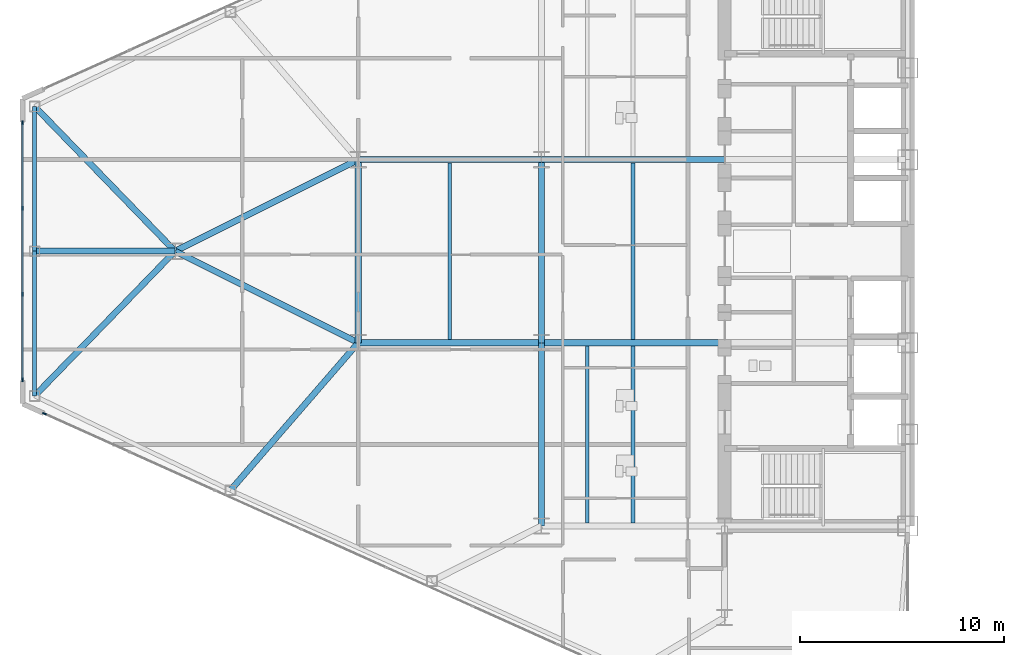
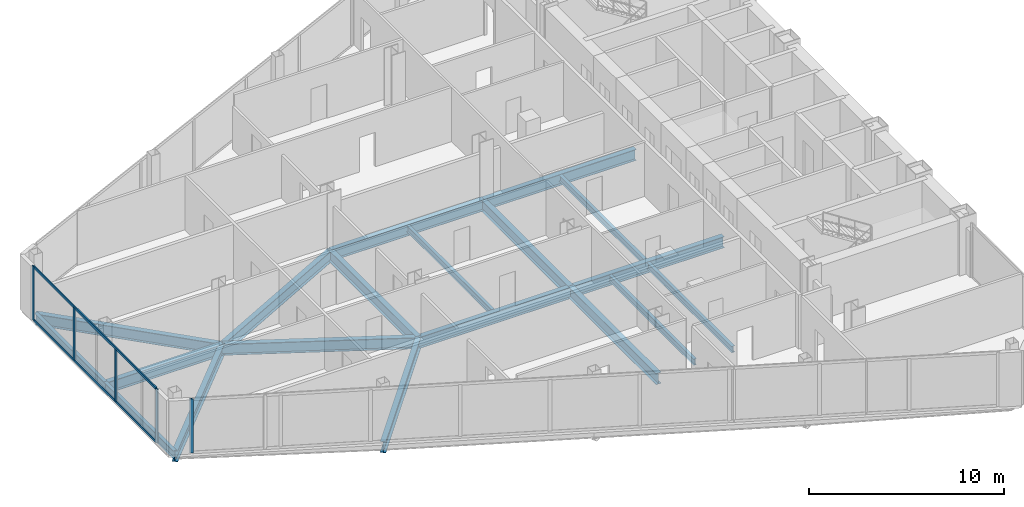
# One storey, part 5 of 27: 19 beams, 7 members, 2 elements without a shape of their own.
"""IFC4 building model written with IfcOpenShell, lengths in metres."""

from ifc_helpers import new_model, si_unit, direction, frame, origin, origin_2d, place, context, subcontext, project, spatial, rectangle, i_section, extrude, source, transform, mapped, material, layer, layer_set, material_profile, profile_set, type_object, type_shapes, element, aggregate, save


model = new_model("IFC4")

# Units and contexts
model_context = context("Model", 3, precision=1e-05, world=origin(), true_north=direction((0.0, 1.0)))
body_context = subcontext(model_context, "Body", "Model", "MODEL_VIEW")
ifc_project = project(units=[si_unit("LENGTHUNIT", "METRE"), si_unit("AREAUNIT", "SQUARE_METRE"), si_unit("VOLUMEUNIT", "CUBIC_METRE"), si_unit("PLANEANGLEUNIT", "RADIAN"), si_unit("MASSUNIT", "GRAM", prefix="KILO")], contexts=[model_context])

# Site, building, storey
site_placement = place(None, origin())
site = spatial("IfcSite", under=ifc_project, at=site_placement, CompositionType="ELEMENT")
building_placement = place(site_placement, origin())
building = spatial("IfcBuilding", under=site, at=building_placement, Name="Seokmaru Belvedere", CompositionType="ELEMENT")
storey_placement = place(building_placement, frame((0.0, 0.0, 76.5)))
storey = spatial("IfcBuildingStorey", under=building, at=storey_placement, Name="L20", CompositionType="ELEMENT", Elevation=76.5)

# Beams
ifc_material_1 = material(Name="Steel SM355 (355 MPa)", Category="steel")
ifc_material_profile_1 = material_profile(ifc_material_1, i_section(OverallWidth=0.300048828125, OverallDepth=0.699951171875, WebThickness=0.012939453125, FlangeThickness=0.02392578125, at=origin_2d()), Name="H-700x300x13x24")
ifc_profile_set_1 = profile_set([ifc_material_profile_1], Name="Steel SM355 (355 MPa)")
beam_type_1 = type_object("IfcBeamType", Name="Primary Floor Girder H-700", PredefinedType="BEAM", material=ifc_profile_set_1)
shared_shape_1 = source(origin(), body_context, "Body", "SweptSolid", [
    extrude(i_section(OverallWidth=0.300048828125, OverallDepth=0.699951171875, WebThickness=0.012939453125, FlangeThickness=0.02392578125, at=origin_2d()), origin(), (0.0, 0.0, 1.0), 9.0),
])
for number, where, z_axis, x_axis, name in (
    (1, (-45.5, -13.5, -0.570068359375), (0.0, 1.0, 0.0), (-1.0, 0.0, 0.0), "L20 W Interior Grid Girder 1"),
    (2, (-45.5, -4.5, -0.570068359375), (0.0, 1.0, 0.0), (-1.0, 0.0, 0.0), "L20 W Interior Grid Girder 2"),
    (3, (-45.5, -4.5, -0.570068359375), (1.0, 0.0, 0.0), (0.0, 1.0, 0.0), "L20 W Wing Primary Girder 2"),
    (4, (-45.5, 4.5, -0.570068359375), (1.0, 0.0, 0.0), (0.0, 1.0, 0.0), "L20 W Wing Primary Girder 3"),
    (5, (-54.5, -4.5, -0.570068359375), (1.0, 0.0, 0.0), (0.0, 1.0, 0.0), "L20 W Outer Wing Girder 1"),
    (6, (-54.5, 4.5, -0.570068359375), (1.0, 0.0, 0.0), (0.0, 1.0, 0.0), "L20 W Outer Wing Girder 2"),
    (7, (-54.5, -4.5, -0.570068359375), (0.0, 1.0, 0.0), (-1.0, 0.0, 0.0), "L20 W Apex Frame Girder"),
):
    element("IfcBeam", number, at=place(storey_placement, frame(where, z_axis=z_axis, x_axis=x_axis)), inside=storey, type_object=beam_type_1, Name=name, PredefinedType="BEAM", context=body_context, shape_type="MappedRepresentation", body=[
        mapped(shared_shape_1, transform((0.0, 0.0, 0.0), scale=1.0)),
    ])
shared_shape_2 = source(origin(), body_context, "Body", "SweptSolid", [
    extrude(i_section(OverallWidth=0.300048828125, OverallDepth=0.699951171875, WebThickness=0.012939453125, FlangeThickness=0.02392578125, at=origin_2d()), origin(), (0.0, 0.0, 1.0), 10.062255859375),
])
for number, where, z_axis, x_axis, name in (
    (8, (-54.5, -4.5, -0.570068359375), (-0.894427191, 0.4472135955, 0.0), (-0.4472135955, -0.894427191, 0.0), "L20 W Apex Converging Girder 1"),
    (9, (-54.5, 4.5, -0.570068359375), (-0.894427191, -0.4472135955, 0.0), (0.4472135955, -0.894427191, 0.0), "L20 W Apex Converging Girder 2"),
):
    element("IfcBeam", number, at=place(storey_placement, frame(where, z_axis=z_axis, x_axis=x_axis)), inside=storey, type_object=beam_type_1, Name=name, PredefinedType="BEAM", context=body_context, shape_type="MappedRepresentation", body=[
        mapped(shared_shape_2, transform((0.0, 0.0, 0.0), scale=1.0)),
    ])
ifc_material_profile_2 = material_profile(ifc_material_1, i_section(OverallWidth=0.18505859375, OverallDepth=0.389892578125, WebThickness=0.008056640625, FlangeThickness=0.011962890625, at=origin_2d()), Name="H-390x185x8x12")
ifc_profile_set_2 = profile_set([ifc_material_profile_2], Name="Steel SM355 (355 MPa)")
beam_type_2 = type_object("IfcBeamType", Name="Secondary Floor Joist H-350", PredefinedType="JOIST", material=ifc_profile_set_2)
shared_shape_3 = source(origin(), body_context, "Body", "SweptSolid", [
    extrude(i_section(OverallWidth=0.18505859375, OverallDepth=0.389892578125, WebThickness=0.008056640625, FlangeThickness=0.011962890625, at=origin_2d()), origin(), (0.0, 0.0, 1.0), 8.68994140625),
])
type_shapes(beam_type_2, [shared_shape_3])
for number, where, z_axis, x_axis, name in (
    (10, (-43.25, -13.344970703125, -0.4150390625), (0.0, 1.0, 0.0), (-1.0, 0.0, 0.0), "L20 W Wing Inner Secondary Joist 1"),
    (11, (-41.0, -13.344970703125, -0.4150390625), (0.0, 1.0, 0.0), (-1.0, 0.0, 0.0), "L20 W Secondary Floor Joist 1"),
    (12, (-41.0, -4.344970703125, -0.4150390625), (0.0, 1.0, 0.0), (-1.0, 0.0, 0.0), "L20 W Secondary Floor Joist 2"),
    (13, (-50.0, -4.344970703125, -0.4150390625), (0.0, 1.0, 0.0), (-1.0, 0.0, 0.0), "L20 W Outer Bay Secondary Joist"),
):
    element("IfcBeam", number, at=place(storey_placement, frame(where, z_axis=z_axis, x_axis=x_axis)), inside=storey, type_object=beam_type_2, Name=name, PredefinedType="JOIST", context=body_context, shape_type="MappedRepresentation", body=[
        mapped(shared_shape_3, transform((0.0, 0.0, 0.0), scale=1.0)),
    ])
ifc_material_profile_3 = material_profile(ifc_material_1, i_section(OverallWidth=0.199951171875, OverallDepth=0.5, WebThickness=0.010009765625, FlangeThickness=0.01611328125, at=origin_2d()), Name="H-500x200x10x16")
ifc_profile_set_3 = profile_set([ifc_material_profile_3], Name="Steel SM355 (355 MPa)")
beam_type_3 = type_object("IfcBeamType", Name="Perimeter Spandrel Beam H-500", PredefinedType="SPANDREL", material=ifc_profile_set_3)
shared_shape_4 = source(origin(), body_context, "Body", "SweptSolid", [
    extrude(i_section(OverallWidth=0.199951171875, OverallDepth=0.5, WebThickness=0.010009765625, FlangeThickness=0.01611328125, at=origin_2d()), origin(), (0.0, 0.0, 1.0), 7.112060546875),
])
type_shapes(beam_type_3, [shared_shape_4])
for number, where, z_axis, x_axis, name in (
    (14, (-70.39990234375, -7.112060546875, -0.469970703125), (0.0, 1.0, 0.0), (-1.0, 0.0, 0.0), "L20 W Faceted Apex Spandrel S"),
    (15, (-70.39990234375, 0.0, -0.469970703125), (0.0, 1.0, 0.0), (-1.0, 0.0, 0.0), "L20 W Faceted Apex Spandrel N"),
):
    element("IfcBeam", number, at=place(storey_placement, frame(where, z_axis=z_axis, x_axis=x_axis)), inside=storey, type_object=beam_type_3, Name=name, PredefinedType="SPANDREL", context=body_context, shape_type="MappedRepresentation", body=[
        mapped(shared_shape_4, transform((0.0, 0.0, 0.0), scale=1.0)),
    ])
shared_shape_5 = source(origin(), body_context, "Body", "SweptSolid", [
    extrude(i_section(OverallWidth=0.300048828125, OverallDepth=0.699951171875, WebThickness=0.012939453125, FlangeThickness=0.02392578125, at=origin_2d()), origin(), (0.0, 0.0, 1.0), 9.589599609375),
])
beam_1_placement = place(storey_placement, frame((-60.777587890625, -11.749267578125, -0.570068359375), z_axis=(0.654626140929, 0.755952786629, 0.0), x_axis=(-0.755952786629, 0.654626140929, 0.0)))
element("IfcBeam", 16, at=beam_1_placement, inside=storey, type_object=beam_type_1, Name="L20 W Flank Radial Floor Girder S-3", PredefinedType="BEAM", context=body_context, shape_type="MappedRepresentation", body=[
    mapped(shared_shape_5, transform((0.0, 0.0, 0.0), scale=1.0)),
])
shared_shape_6 = source(origin(), body_context, "Body", "SweptSolid", [
    extrude(i_section(OverallWidth=0.300048828125, OverallDepth=0.699951171875, WebThickness=0.012939453125, FlangeThickness=0.02392578125, at=origin_2d()), origin(), (0.0, 0.0, 1.0), 9.9091796875),
])
for number, where, z_axis, x_axis, name in (
    (17, (-70.39990234375, -7.112060546875, -0.570068359375), (0.6963205089, 0.717730972499, 0.0), (-0.717730972499, 0.6963205089, 0.0), "L20 W Apex Radial Floor Girder 1"),
    (18, (-70.39990234375, 7.112060546875, -0.570068359375), (0.6963205089, -0.717730972499, 0.0), (0.717730972499, 0.6963205089, 0.0), "L20 W Apex Radial Floor Girder 2"),
):
    element("IfcBeam", number, at=place(storey_placement, frame(where, z_axis=z_axis, x_axis=x_axis)), inside=storey, type_object=beam_type_1, Name=name, PredefinedType="BEAM", context=body_context, shape_type="MappedRepresentation", body=[
        mapped(shared_shape_6, transform((0.0, 0.0, 0.0), scale=1.0)),
    ])
shared_shape_7 = source(origin(), body_context, "Body", "SweptSolid", [
    extrude(i_section(OverallWidth=0.300048828125, OverallDepth=0.699951171875, WebThickness=0.012939453125, FlangeThickness=0.02392578125, at=origin_2d()), origin(), (0.0, 0.0, 1.0), 6.89990234375),
])
type_shapes(beam_type_1, [shared_shape_1, shared_shape_2, shared_shape_5, shared_shape_6, shared_shape_7])
beam_2_placement = place(storey_placement, frame((-70.39990234375, 0.0, -0.570068359375), z_axis=(1.0, 0.0, 0.0), x_axis=(0.0, 1.0, 0.0)))
element("IfcBeam", 19, at=beam_2_placement, inside=storey, type_object=beam_type_1, Name="L20 W Apex Center Radial Girder", PredefinedType="BEAM", context=body_context, shape_type="MappedRepresentation", body=[
    mapped(shared_shape_7, transform((0.0, 0.0, 0.0), scale=1.0)),
])

# Curtain wall, members
ifc_material_2 = material(Name="Bronze Triple Insulating Glass", Category="glass")
ifc_layer = layer(ifc_material_2, 0.195068359375)
ifc_layer_set = layer_set([ifc_layer], Name="Bronze Triple Insulating Glass")
curtain_wall_type = type_object("IfcCurtainWallType", Name="Lower-Mid Tapered Curtain Wall System CW-3", PredefinedType="NOTDEFINED", material=ifc_layer_set)
curtain_wall_1_placement = place(storey_placement, origin())
curtain_wall_1 = element("IfcCurtainWall", 20, at=curtain_wall_1_placement, inside=storey, type_object=curtain_wall_type, Name="L20 Curtain Wall WF4", PredefinedType="NOTDEFINED")
ifc_material_3 = material(Name="Anodised Bronze Aluminium", Category="aluminium")
ifc_material_profile_4 = material_profile(ifc_material_3, rectangle(XDim=0.070068359375, YDim=0.195068359375, at=origin_2d()), Name="CW-M-70x195")
ifc_profile_set_4 = profile_set([ifc_material_profile_4], Name="Anodised Bronze Aluminium")
member_type_1 = type_object("IfcMemberType", Name="Bronze Unitised Mullion 70x195", PredefinedType="MULLION", material=ifc_profile_set_4)
shared_shape_8 = source(origin(), body_context, "Body", "SweptSolid", [
    extrude(rectangle(XDim=0.070068359375, YDim=0.195068359375, at=origin_2d()), origin(), (0.0, 0.0, 1.0), 3.3798828125),
])
member_1_placement = place(storey_placement, frame((-71.0, 6.31494140625, 0.0), z_axis=(0.0, 0.0, 1.0), x_axis=(1.0, 0.0, 0.0)))
member_1 = element("IfcMember", 21, at=member_1_placement, type_object=member_type_1, Name="CW:L20:WF4 Mullion 1", PredefinedType="MULLION", context=body_context, shape_type="MappedRepresentation", body=[
    mapped(shared_shape_8, transform((0.0, 0.0, 0.0), scale=1.0)),
])
member_2_placement = place(storey_placement, frame((-71.0, -6.31494140625, 0.0), z_axis=(0.0, 0.0, 1.0), x_axis=(1.0, 0.0, 0.0)))
member_2 = element("IfcMember", 22, at=member_2_placement, type_object=member_type_1, Name="CW:L20:WF4 Mullion 4", PredefinedType="MULLION", context=body_context, shape_type="MappedRepresentation", body=[
    mapped(shared_shape_8, transform((0.0, 0.0, 0.0), scale=1.0)),
])

# Curtain wall, member
curtain_wall_2_placement = place(storey_placement, origin())
curtain_wall_2 = element("IfcCurtainWall", 23, at=curtain_wall_2_placement, inside=storey, type_object=curtain_wall_type, Name="L20 Curtain Wall WF5", PredefinedType="NOTDEFINED")
member_3_placement = place(storey_placement, frame((-69.91943359375, -7.986328125, 0.0), z_axis=(0.0, 0.0, 1.0), x_axis=(0.41036554765, 0.91192111353, 0.0)))
member_3 = element("IfcMember", 24, at=member_3_placement, type_object=member_type_1, Name="CW:L20:WF5 Mullion 1", PredefinedType="MULLION", context=body_context, shape_type="MappedRepresentation", body=[
    mapped(shared_shape_8, transform((0.0, 0.0, 0.0), scale=1.0)),
])
aggregate(curtain_wall_2, [member_3])

# Member
shared_shape_9 = source(origin(), body_context, "Body", "SweptSolid", [
    extrude(rectangle(XDim=0.070068359375, YDim=0.195068359375, at=origin_2d()), origin(), (0.0, 0.0, 1.0), 3.239990234375),
])
type_shapes(member_type_1, [shared_shape_8, shared_shape_9])
member_4_placement = place(storey_placement, frame((-71.0, 2.11669921875, 0.070068359375), z_axis=(0.0, 0.0, 1.0), x_axis=(1.0, 0.0, 0.0)))
member_4 = element("IfcMember", 25, at=member_4_placement, type_object=member_type_1, Name="CW:L20:WF4 Mullion 2", PredefinedType="MULLION", context=body_context, shape_type="MappedRepresentation", body=[
    mapped(shared_shape_9, transform((0.0, 0.0, 0.0), scale=1.0)),
])

member_5_placement = place(storey_placement, frame((-71.0, -2.11669921875, 0.070068359375), z_axis=(0.0, 0.0, 1.0), x_axis=(1.0, 0.0, 0.0)))
member_5 = element("IfcMember", 26, at=member_5_placement, type_object=member_type_1, Name="CW:L20:WF4 Mullion 3", PredefinedType="MULLION", context=body_context, shape_type="MappedRepresentation", body=[
    mapped(shared_shape_9, transform((0.0, 0.0, 0.0), scale=1.0)),
])

ifc_material_profile_5 = material_profile(ifc_material_3, rectangle(XDim=0.070068359375, YDim=0.1650390625, at=origin_2d()), Name="CW-T-70x165")
ifc_profile_set_5 = profile_set([ifc_material_profile_5], Name="Anodised Bronze Aluminium")
member_type_2 = type_object("IfcMemberType", Name="Bronze Unitised Transom 70x165", PredefinedType="USERDEFINED", material=ifc_profile_set_5)
shared_shape_10 = source(origin(), body_context, "Body", "SweptSolid", [
    extrude(rectangle(XDim=0.070068359375, YDim=0.1650390625, at=origin_2d()), origin(), (0.0, 0.0, 1.0), 12.56005859375),
])
type_shapes(member_type_2, [shared_shape_10])
member_6_placement = place(storey_placement, frame((-71.0, 6.280029296875, 0.034912109375), z_axis=(0.0, -1.0, 0.0), x_axis=(1.0, 0.0, 0.0)))
member_6 = element("IfcMember", 27, at=member_6_placement, type_object=member_type_2, Name="CW:L20:WF4 Continuous Transom 1", ObjectType="TRANSOM", PredefinedType="USERDEFINED", context=body_context, shape_type="MappedRepresentation", body=[
    mapped(shared_shape_10, transform((0.0, 0.0, 0.0), scale=1.0)),
])

member_7_placement = place(storey_placement, frame((-71.0, 6.280029296875, 3.344970703125), z_axis=(0.0, -1.0, 0.0), x_axis=(1.0, 0.0, 0.0)))
member_7 = element("IfcMember", 28, at=member_7_placement, type_object=member_type_2, Name="CW:L20:WF4 Continuous Transom 2", ObjectType="TRANSOM", PredefinedType="USERDEFINED", context=body_context, shape_type="MappedRepresentation", body=[
    mapped(shared_shape_10, transform((0.0, 0.0, 0.0), scale=1.0)),
])

aggregate(curtain_wall_1, [member_1, member_4, member_5, member_2, member_6, member_7])

save(model, "model.ifc")
